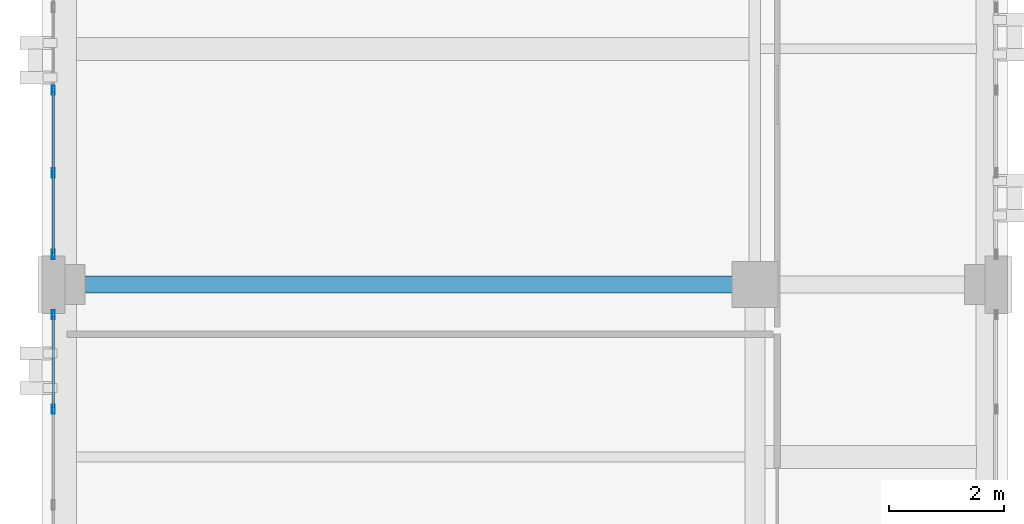
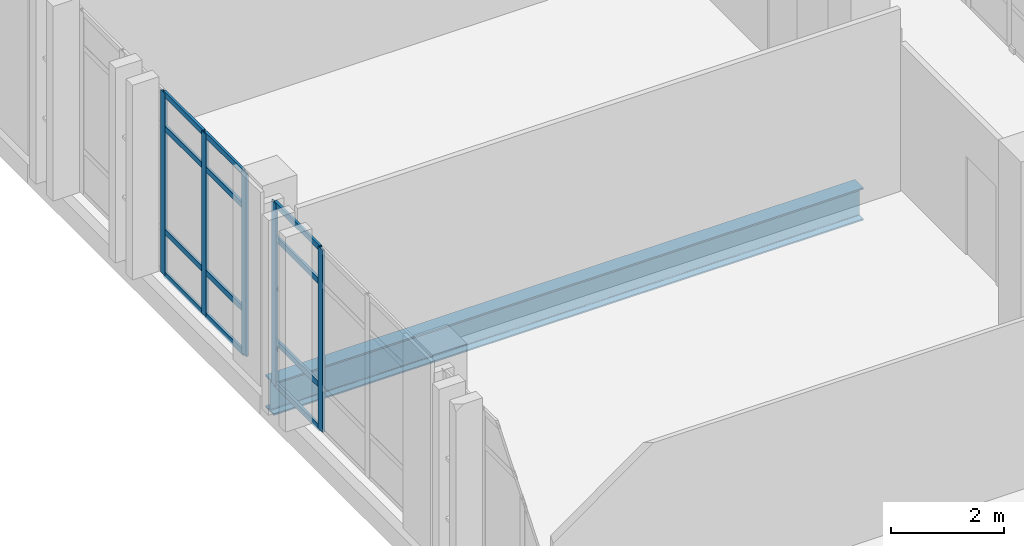
# One storey, part 67 of 158: 17 members, 1 beam, 2 elements without a shape of their own.
"""IFC4 building model written with IfcOpenShell, lengths in metres."""

from ifc_helpers import new_model, si_unit, direction, frame, origin, origin_2d, place, context, subcontext, project, spatial, hollow_rectangle, i_section, extrude, material, layer, layer_set, material_profile, profile_set, type_object, element, aggregate, save


model = new_model("IFC4")

# Units and contexts
model_context = context("Model", 3, precision=1e-05, world=origin(), true_north=direction((0.0, 1.0)))
body_context = subcontext(model_context, "Body", "Model", "MODEL_VIEW")
ifc_project = project(units=[si_unit("LENGTHUNIT", "METRE"), si_unit("AREAUNIT", "SQUARE_METRE"), si_unit("VOLUMEUNIT", "CUBIC_METRE"), si_unit("PLANEANGLEUNIT", "RADIAN"), si_unit("MASSUNIT", "GRAM", prefix="KILO")], contexts=[model_context])

# Site, building, storey
site_placement = place(None, origin())
site = spatial("IfcSite", under=ifc_project, at=site_placement, CompositionType="ELEMENT")
building_placement = place(site_placement, origin())
building = spatial("IfcBuilding", under=site, at=building_placement, Name="Qalavern Law Courts", CompositionType="ELEMENT")
storey_placement = place(building_placement, frame((0.0, 0.0, 18.60009765625)))
storey = spatial("IfcBuildingStorey", under=building, at=storey_placement, Name="L04", CompositionType="ELEMENT", Elevation=18.60009765625)

# Curtain wall, members
ifc_material_1 = material(Name="Anodised aluminium and insulated glazing", Category="aluminium")
ifc_layer = layer(ifc_material_1, 0.159912109375)
ifc_layer_set = layer_set([ifc_layer], Name="Anodised aluminium and insulated glazing")
curtain_wall_type = type_object("IfcCurtainWallType", Name="ENV-CW-CHAMB", PredefinedType="USERDEFINED", material=ifc_layer_set)
curtain_wall_1_placement = place(storey_placement, origin())
curtain_wall_1 = element("IfcCurtainWall", 1, at=curtain_wall_1_placement, inside=storey, type_object=curtain_wall_type, Name="V3 unitised curtain wall L04 west 2", ObjectType="UNITISED CURTAIN WALL", PredefinedType="USERDEFINED")
ifc_material_2 = material(Name="Anodised aluminium", Category="aluminium")
ifc_material_profile_1 = material_profile(ifc_material_2, hollow_rectangle(XDim=0.048095703125, YDim=0.159912109375, WallThickness=0.00390625, at=origin_2d()), Name="ALU MULLION 48x160")
ifc_profile_set_1 = profile_set([ifc_material_profile_1], Name="Anodised aluminium")
member_type_1 = type_object("IfcMemberType", Name="ENV-CWM-48x160", PredefinedType="MULLION", material=ifc_profile_set_1)
member_1_placement = place(storey_placement, frame((2.199951171875, 82.780029296875, 0.0), z_axis=(0.0, 0.0, 1.0), x_axis=(1.0, 0.0, 0.0)))
member_1 = element("IfcMember", 2, at=member_1_placement, type_object=member_type_1, Name="CW-04 mullion 4", PredefinedType="MULLION", context=body_context, shape_type="SweptSolid", body=[
    extrude(hollow_rectangle(XDim=0.048095703125, YDim=0.159912109375, WallThickness=0.00390625, at=origin_2d()), origin(), (0.0, 0.0, 1.0), 3.9248046875),
])
member_2_placement = place(storey_placement, frame((2.199951171875, 81.340087890625, 0.0), z_axis=(0.0, 0.0, 1.0), x_axis=(1.0, 0.0, 0.0)))
member_2 = element("IfcMember", 3, at=member_2_placement, type_object=member_type_1, Name="CW-04 mullion 5", PredefinedType="MULLION", context=body_context, shape_type="SweptSolid", body=[
    extrude(hollow_rectangle(XDim=0.048095703125, YDim=0.159912109375, WallThickness=0.00390625, at=origin_2d()), origin(), (0.0, 0.0, 1.0), 3.9248046875),
])
member_3_placement = place(storey_placement, frame((2.199951171875, 79.924072265625, 0.0), z_axis=(0.0, 0.0, 1.0), x_axis=(1.0, 0.0, 0.0)))
member_3 = element("IfcMember", 4, at=member_3_placement, type_object=member_type_1, Name="CW-04 mullion 6", PredefinedType="MULLION", context=body_context, shape_type="SweptSolid", body=[
    extrude(hollow_rectangle(XDim=0.048095703125, YDim=0.159912109375, WallThickness=0.00390625, at=origin_2d()), origin(), (0.0, 0.0, 1.0), 3.9248046875),
])

curtain_wall_2_placement = place(storey_placement, origin())
curtain_wall_2 = element("IfcCurtainWall", 5, at=curtain_wall_2_placement, inside=storey, type_object=curtain_wall_type, Name="V3 unitised curtain wall L04 west 3", ObjectType="UNITISED CURTAIN WALL", PredefinedType="USERDEFINED")
member_4_placement = place(storey_placement, frame((2.199951171875, 78.8759765625, 0.0), z_axis=(0.0, 0.0, 1.0), x_axis=(1.0, 0.0, 0.0)))
member_4 = element("IfcMember", 6, at=member_4_placement, type_object=member_type_1, Name="CW-04 mullion 1", PredefinedType="MULLION", context=body_context, shape_type="SweptSolid", body=[
    extrude(hollow_rectangle(XDim=0.048095703125, YDim=0.159912109375, WallThickness=0.00390625, at=origin_2d()), origin(), (0.0, 0.0, 1.0), 3.9248046875),
])
member_5_placement = place(storey_placement, frame((2.199951171875, 77.2333984375, 0.0), z_axis=(0.0, 0.0, 1.0), x_axis=(1.0, 0.0, 0.0)))
member_5 = element("IfcMember", 7, at=member_5_placement, type_object=member_type_1, Name="CW-04 mullion 2", PredefinedType="MULLION", context=body_context, shape_type="SweptSolid", body=[
    extrude(hollow_rectangle(XDim=0.048095703125, YDim=0.159912109375, WallThickness=0.00390625, at=origin_2d()), origin(), (0.0, 0.0, 1.0), 3.9248046875),
])

# Member
ifc_material_profile_2 = material_profile(ifc_material_2, hollow_rectangle(XDim=0.048095703125, YDim=0.1201171875, WallThickness=0.00390625, at=origin_2d()), Name="ALU TRANSOM 48x120")
ifc_profile_set_2 = profile_set([ifc_material_profile_2], Name="Anodised aluminium")
member_type_2 = type_object("IfcMemberType", Name="ENV-CWT-48x120", PredefinedType="USERDEFINED", material=ifc_profile_set_2)
member_6_placement = place(storey_placement, frame((2.199951171875, 82.756103515625, 0.02392578125), z_axis=(0.0, -1.0, 0.0), x_axis=(1.0, 0.0, 0.0)))
member_6 = element("IfcMember", 8, at=member_6_placement, type_object=member_type_2, Name="CW-04 transom 4.1", ObjectType="TRANSOM", PredefinedType="USERDEFINED", context=body_context, shape_type="SweptSolid", body=[
    extrude(hollow_rectangle(XDim=0.048095703125, YDim=0.1201171875, WallThickness=0.00390625, at=origin_2d()), origin(), (0.0, 0.0, 1.0), 1.39208984375),
])

member_7_placement = place(storey_placement, frame((2.199951171875, 82.756103515625, 0.949951171875), z_axis=(0.0, -1.0, 0.0), x_axis=(1.0, 0.0, 0.0)))
member_7 = element("IfcMember", 9, at=member_7_placement, type_object=member_type_2, Name="CW-04 transom 4.2", ObjectType="TRANSOM", PredefinedType="USERDEFINED", context=body_context, shape_type="SweptSolid", body=[
    extrude(hollow_rectangle(XDim=0.048095703125, YDim=0.1201171875, WallThickness=0.00390625, at=origin_2d()), origin(), (0.0, 0.0, 1.0), 1.39208984375),
])

member_8_placement = place(storey_placement, frame((2.199951171875, 82.756103515625, 3.1748046875), z_axis=(0.0, -1.0, 0.0), x_axis=(1.0, 0.0, 0.0)))
member_8 = element("IfcMember", 10, at=member_8_placement, type_object=member_type_2, Name="CW-04 transom 4.3", ObjectType="TRANSOM", PredefinedType="USERDEFINED", context=body_context, shape_type="SweptSolid", body=[
    extrude(hollow_rectangle(XDim=0.048095703125, YDim=0.1201171875, WallThickness=0.00390625, at=origin_2d()), origin(), (0.0, 0.0, 1.0), 1.39208984375),
])

member_9_placement = place(storey_placement, frame((2.199951171875, 82.756103515625, 3.90087890625), z_axis=(0.0, -1.0, 0.0), x_axis=(1.0, 0.0, 0.0)))
member_9 = element("IfcMember", 11, at=member_9_placement, type_object=member_type_2, Name="CW-04 transom 4.4", ObjectType="TRANSOM", PredefinedType="USERDEFINED", context=body_context, shape_type="SweptSolid", body=[
    extrude(hollow_rectangle(XDim=0.048095703125, YDim=0.1201171875, WallThickness=0.00390625, at=origin_2d()), origin(), (0.0, 0.0, 1.0), 1.39208984375),
])

member_10_placement = place(storey_placement, frame((2.199951171875, 81.31591796875, 0.02392578125), z_axis=(0.0, -1.0, 0.0), x_axis=(1.0, 0.0, 0.0)))
member_10 = element("IfcMember", 12, at=member_10_placement, type_object=member_type_2, Name="CW-04 transom 5.1", ObjectType="TRANSOM", PredefinedType="USERDEFINED", context=body_context, shape_type="SweptSolid", body=[
    extrude(hollow_rectangle(XDim=0.048095703125, YDim=0.1201171875, WallThickness=0.00390625, at=origin_2d()), origin(), (0.0, 0.0, 1.0), 1.367919921875),
])

member_11_placement = place(storey_placement, frame((2.199951171875, 81.31591796875, 0.949951171875), z_axis=(0.0, -1.0, 0.0), x_axis=(1.0, 0.0, 0.0)))
member_11 = element("IfcMember", 13, at=member_11_placement, type_object=member_type_2, Name="CW-04 transom 5.2", ObjectType="TRANSOM", PredefinedType="USERDEFINED", context=body_context, shape_type="SweptSolid", body=[
    extrude(hollow_rectangle(XDim=0.048095703125, YDim=0.1201171875, WallThickness=0.00390625, at=origin_2d()), origin(), (0.0, 0.0, 1.0), 1.367919921875),
])

member_12_placement = place(storey_placement, frame((2.199951171875, 81.31591796875, 3.1748046875), z_axis=(0.0, -1.0, 0.0), x_axis=(1.0, 0.0, 0.0)))
member_12 = element("IfcMember", 14, at=member_12_placement, type_object=member_type_2, Name="CW-04 transom 5.3", ObjectType="TRANSOM", PredefinedType="USERDEFINED", context=body_context, shape_type="SweptSolid", body=[
    extrude(hollow_rectangle(XDim=0.048095703125, YDim=0.1201171875, WallThickness=0.00390625, at=origin_2d()), origin(), (0.0, 0.0, 1.0), 1.367919921875),
])

member_13_placement = place(storey_placement, frame((2.199951171875, 81.31591796875, 3.90087890625), z_axis=(0.0, -1.0, 0.0), x_axis=(1.0, 0.0, 0.0)))
member_13 = element("IfcMember", 15, at=member_13_placement, type_object=member_type_2, Name="CW-04 transom 5.4", ObjectType="TRANSOM", PredefinedType="USERDEFINED", context=body_context, shape_type="SweptSolid", body=[
    extrude(hollow_rectangle(XDim=0.048095703125, YDim=0.1201171875, WallThickness=0.00390625, at=origin_2d()), origin(), (0.0, 0.0, 1.0), 1.367919921875),
])

aggregate(curtain_wall_1, [member_1, member_2, member_3, member_6, member_7, member_8, member_9, member_10, member_11, member_12, member_13])

member_14_placement = place(storey_placement, frame((2.199951171875, 78.85205078125, 0.02392578125), z_axis=(0.0, -1.0, 0.0), x_axis=(1.0, 0.0, 0.0)))
member_14 = element("IfcMember", 16, at=member_14_placement, type_object=member_type_2, Name="CW-04 transom 1.1", ObjectType="TRANSOM", PredefinedType="USERDEFINED", context=body_context, shape_type="SweptSolid", body=[
    extrude(hollow_rectangle(XDim=0.048095703125, YDim=0.1201171875, WallThickness=0.00390625, at=origin_2d()), origin(), (0.0, 0.0, 1.0), 1.5947265625),
])

member_15_placement = place(storey_placement, frame((2.199951171875, 78.85205078125, 0.949951171875), z_axis=(0.0, -1.0, 0.0), x_axis=(1.0, 0.0, 0.0)))
member_15 = element("IfcMember", 17, at=member_15_placement, type_object=member_type_2, Name="CW-04 transom 1.2", ObjectType="TRANSOM", PredefinedType="USERDEFINED", context=body_context, shape_type="SweptSolid", body=[
    extrude(hollow_rectangle(XDim=0.048095703125, YDim=0.1201171875, WallThickness=0.00390625, at=origin_2d()), origin(), (0.0, 0.0, 1.0), 1.5947265625),
])

member_16_placement = place(storey_placement, frame((2.199951171875, 78.85205078125, 3.1748046875), z_axis=(0.0, -1.0, 0.0), x_axis=(1.0, 0.0, 0.0)))
member_16 = element("IfcMember", 18, at=member_16_placement, type_object=member_type_2, Name="CW-04 transom 1.3", ObjectType="TRANSOM", PredefinedType="USERDEFINED", context=body_context, shape_type="SweptSolid", body=[
    extrude(hollow_rectangle(XDim=0.048095703125, YDim=0.1201171875, WallThickness=0.00390625, at=origin_2d()), origin(), (0.0, 0.0, 1.0), 1.5947265625),
])

member_17_placement = place(storey_placement, frame((2.199951171875, 78.85205078125, 3.90087890625), z_axis=(0.0, -1.0, 0.0), x_axis=(1.0, 0.0, 0.0)))
member_17 = element("IfcMember", 19, at=member_17_placement, type_object=member_type_2, Name="CW-04 transom 1.4", ObjectType="TRANSOM", PredefinedType="USERDEFINED", context=body_context, shape_type="SweptSolid", body=[
    extrude(hollow_rectangle(XDim=0.048095703125, YDim=0.1201171875, WallThickness=0.00390625, at=origin_2d()), origin(), (0.0, 0.0, 1.0), 1.5947265625),
])

aggregate(curtain_wall_2, [member_4, member_5, member_14, member_15, member_16, member_17])

# Beam
ifc_material_3 = material(Name="Steel S355", Category="steel")
ifc_material_profile_3 = material_profile(ifc_material_3, i_section(OverallWidth=0.300048828125, OverallDepth=0.699951171875, WebThickness=0.01708984375, FlangeThickness=0.031982421875, FilletRadius=0.027099609375, at=origin_2d()), Name="HEB 700")
ifc_profile_set_3 = profile_set([ifc_material_profile_3], Name="Steel S355")
beam_type = type_object("IfcBeamType", Name="STR-BM-HEB700", PredefinedType="BEAM", material=ifc_profile_set_3)
beam_placement = place(storey_placement, frame((2.39990234375, 79.39990234375, -0.630126953125), z_axis=(1.0, 0.0, 0.0), x_axis=(0.0, 1.0, 0.0)))
element("IfcBeam", 20, at=beam_placement, inside=storey, type_object=beam_type, Name="V3 X-beam 6-1 L04", PredefinedType="BEAM", context=body_context, shape_type="SweptSolid", body=[
    extrude(i_section(OverallWidth=0.300048828125, OverallDepth=0.699951171875, WebThickness=0.01708984375, FlangeThickness=0.031982421875, FilletRadius=0.027099609375, at=origin_2d()), origin(), (0.0, 0.0, 1.0), 12.0),
])

save(model, "model.ifc")
